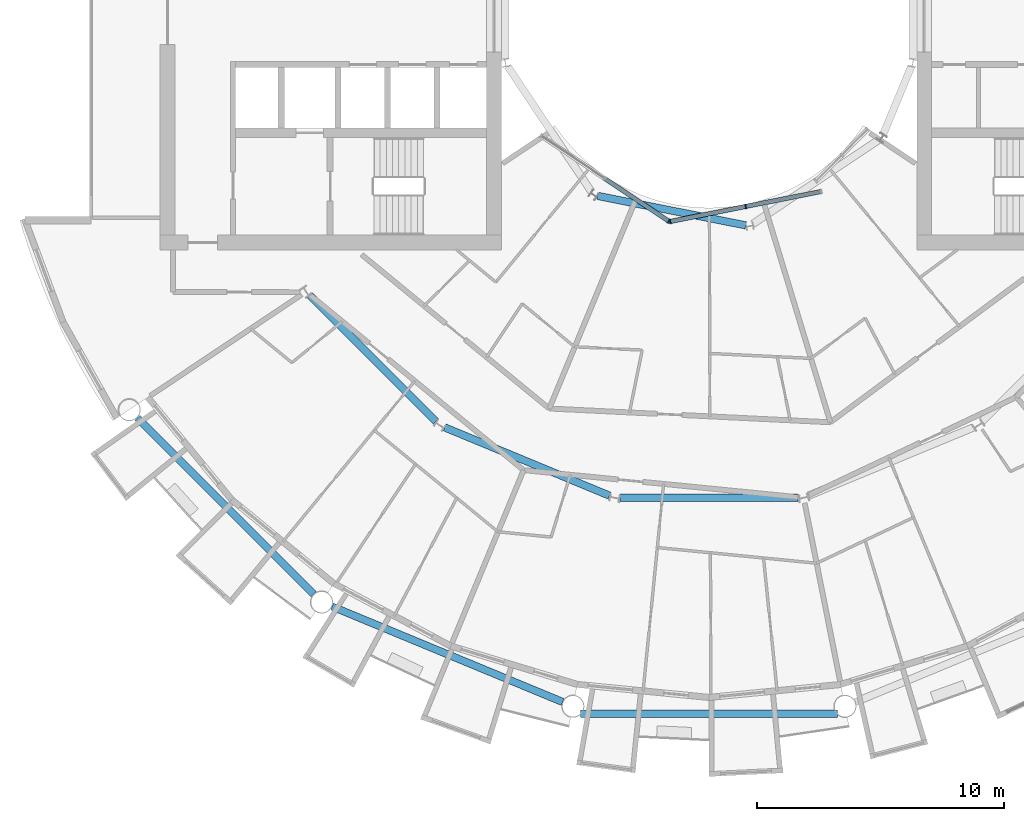
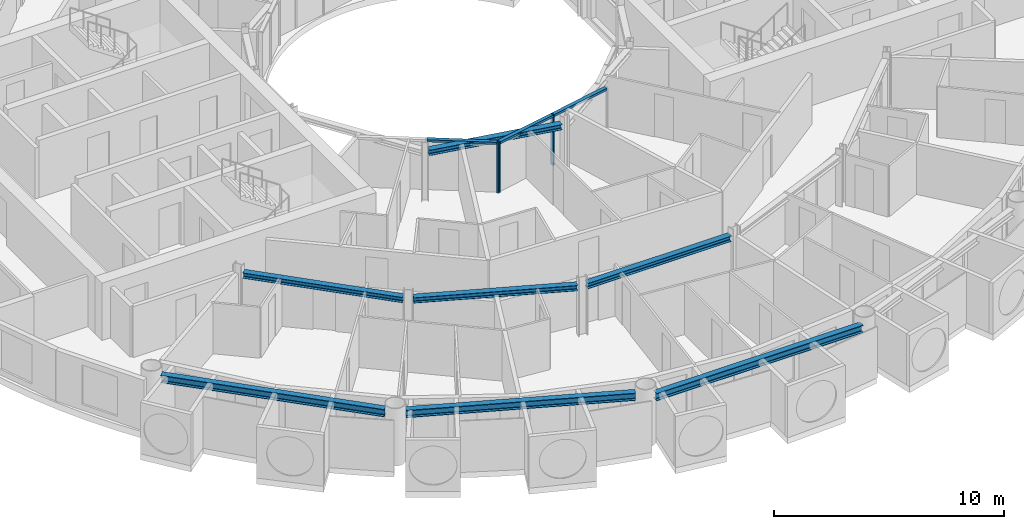
# One storey, part 5 of 27: 7 beams, 6 members, 2 elements without a shape of their own.
"""IFC4 building model written with IfcOpenShell, lengths in metres."""

from ifc_helpers import new_model, si_unit, direction, frame, origin, origin_2d, place, context, subcontext, project, spatial, rectangle, i_section, extrude, material, layer, layer_set, material_profile, profile_set, type_object, element, aggregate, save


model = new_model("IFC4")

# Units and contexts
model_context = context("Model", 3, precision=1e-05, world=origin(), true_north=direction((0.0, 1.0)))
body_context = subcontext(model_context, "Body", "Model", "MODEL_VIEW")
ifc_project = project(units=[si_unit("LENGTHUNIT", "METRE"), si_unit("AREAUNIT", "SQUARE_METRE"), si_unit("VOLUMEUNIT", "CUBIC_METRE"), si_unit("PLANEANGLEUNIT", "RADIAN"), si_unit("MASSUNIT", "GRAM", prefix="KILO")], contexts=[model_context])

# Site, building, storey
site_placement = place(None, origin())
site = spatial("IfcSite", under=ifc_project, at=site_placement, CompositionType="ELEMENT")
building_placement = place(site_placement, origin())
building = spatial("IfcBuilding", under=site, at=building_placement, Name="Maasbend Ring Residences", CompositionType="ELEMENT")
storey_placement = place(building_placement, frame((0.0, 0.0, 114.699951171875)))
storey = spatial("IfcBuildingStorey", under=building, at=storey_placement, Name="L32", CompositionType="ELEMENT", Elevation=114.699951171875)

# Curtain wall, member
ifc_material_1 = material(Name="Aluminium and clear glass", Category="aluminium")
ifc_layer = layer(ifc_material_1, 0.179931640625)
ifc_layer_set = layer_set([ifc_layer], Name="CW-W")
curtain_wall_type = type_object("IfcCurtainWallType", Name="CW-W", PredefinedType="NOTDEFINED", material=ifc_layer_set)
curtain_wall_1_placement = place(storey_placement, origin())
curtain_wall_1 = element("IfcCurtainWall", 1, at=curtain_wall_1_placement, inside=storey, type_object=curtain_wall_type, Name="Well curtain wall S1", PredefinedType="NOTDEFINED")
ifc_material_2 = material(Name="Aluminium 6063-T6", Category="aluminium")
ifc_material_profile_1 = material_profile(ifc_material_2, rectangle(XDim=0.179931640625, YDim=0.06005859375, at=origin_2d()), Name="AL 180x60")
ifc_profile_set_1 = profile_set([ifc_material_profile_1], Name="Aluminium 6063-T6")
member_type_1 = type_object("IfcMemberType", Name="CWM-W", PredefinedType="MULLION", material=ifc_profile_set_1)
member_1_placement = place(storey_placement, frame((-1.627685546875, -8.040771484375, 0.0), z_axis=(0.0, 0.0, 1.0), x_axis=(0.55557023302, 0.831469612303, 0.0)))
member_1 = element("IfcMember", 2, at=member_1_placement, type_object=member_type_1, Name="Mullion well face", PredefinedType="MULLION", context=body_context, shape_type="SweptSolid", body=[
    extrude(rectangle(XDim=0.179931640625, YDim=0.06005859375, at=origin_2d()), origin(), (0.0, 0.0, 1.0), 2.699951171875),
])

# Curtain wall, members
curtain_wall_2_placement = place(storey_placement, origin())
curtain_wall_2 = element("IfcCurtainWall", 3, at=curtain_wall_2_placement, inside=storey, type_object=curtain_wall_type, Name="Well curtain wall S2", PredefinedType="NOTDEFINED")
member_2_placement = place(storey_placement, frame((-1.5732421875, -8.0517578125, 0.0), z_axis=(0.0, 0.0, 1.0), x_axis=(-0.195090322016, 0.980785280403, 0.0)))
member_2 = element("IfcMember", 4, at=member_2_placement, type_object=member_type_1, Name="Mullion well face", PredefinedType="MULLION", context=body_context, shape_type="SweptSolid", body=[
    extrude(rectangle(XDim=0.179931640625, YDim=0.06005859375, at=origin_2d()), origin(), (0.0, 0.0, 1.0), 2.699951171875),
])
member_3_placement = place(storey_placement, frame((1.480712890625, -7.444091796875, 0.0), z_axis=(0.0, 0.0, 1.0), x_axis=(-0.195090322016, 0.980785280403, 0.0)))
member_3 = element("IfcMember", 5, at=member_3_placement, type_object=member_type_1, Name="Mullion well face", PredefinedType="MULLION", context=body_context, shape_type="SweptSolid", body=[
    extrude(rectangle(XDim=0.179931640625, YDim=0.06005859375, at=origin_2d()), origin(), (0.0, 0.0, 1.0), 2.699951171875),
])

# Member
ifc_material_3 = material(Name="Aluminium 6063-T6", Category="aluminium")
ifc_material_profile_2 = material_profile(ifc_material_3, rectangle(XDim=0.179931640625, YDim=0.1201171875, at=origin_2d()), Name="AL 180x120")
ifc_profile_set_2 = profile_set([ifc_material_profile_2], Name="Aluminium 6063-T6")
member_type_2 = type_object("IfcMemberType", Name="CWT-W", PredefinedType="USERDEFINED", material=ifc_profile_set_2)
member_4_placement = place(storey_placement, frame((-4.19189453125, -6.32763671875, 2.64013671875), z_axis=(0.831496422459, -0.555530106689, 0.0), x_axis=(0.555530106689, 0.831496422459, 0.0)))
member_4 = element("IfcMember", 6, at=member_4_placement, type_object=member_type_2, Name="Transom well face", ObjectType="TRANSOM", PredefinedType="USERDEFINED", context=body_context, shape_type="SweptSolid", body=[
    extrude(rectangle(XDim=0.179931640625, YDim=0.1201171875, at=origin_2d()), origin(), (0.0, 0.0, 1.0), 3.053955078125),
])

aggregate(curtain_wall_1, [member_1, member_4])

member_5_placement = place(storey_placement, frame((-1.5439453125, -8.0458984375, 2.64013671875), z_axis=(0.980776956105, 0.195132166424, 0.0), x_axis=(-0.195132166424, 0.980776956105, 0.0)))
member_5 = element("IfcMember", 7, at=member_5_placement, type_object=member_type_2, Name="Transom well face", ObjectType="TRANSOM", PredefinedType="USERDEFINED", context=body_context, shape_type="SweptSolid", body=[
    extrude(rectangle(XDim=0.179931640625, YDim=0.1201171875, at=origin_2d()), origin(), (0.0, 0.0, 1.0), 3.053955078125),
])

member_6_placement = place(storey_placement, frame((1.51025390625, -7.438232421875, 2.64013671875), z_axis=(0.980789210404, 0.19507056353, 0.0), x_axis=(-0.19507056353, 0.980789210404, 0.0)))
member_6 = element("IfcMember", 8, at=member_6_placement, type_object=member_type_2, Name="Transom well face", ObjectType="TRANSOM", PredefinedType="USERDEFINED", context=body_context, shape_type="SweptSolid", body=[
    extrude(rectangle(XDim=0.179931640625, YDim=0.1201171875, at=origin_2d()), origin(), (0.0, 0.0, 1.0), 3.0537109375),
])

aggregate(curtain_wall_2, [member_2, member_3, member_5, member_6])

# Beams
ifc_material_4 = material(Name="Steel S355J2", Category="steel")
ifc_material_profile_3 = material_profile(ifc_material_4, i_section(OverallWidth=0.300048828125, OverallDepth=0.2900390625, WebThickness=0.008544921875, FlangeThickness=0.013916015625, FilletRadius=0.027099609375, at=origin_2d()), Name="HEA 300")
ifc_profile_set_3 = profile_set([ifc_material_profile_3], Name="Steel S355J2")
beam_type_1 = type_object("IfcBeamType", Name="Corridor ring beam HEA 300", PredefinedType="BEAM", material=ifc_profile_set_3)
for number, where, z_axis, x_axis, name in (
    (9, (-16.14111328125, -11.044921875, 2.554931640625), (0.707106781187, -0.707106781187, 0.0), (0.707106781187, 0.707106781187, 0.0), "Corridor ring beam"),
    (10, (-10.685791015625, -16.381103515625, 2.554931640625), (0.923877693919, -0.382687871089, 0.0), (0.382687871089, 0.923877693919, 0.0), "Corridor ring beam"),
    (11, (-3.603515625, -19.223388671875, 2.554931640625), (1.0, 0.0, 0.0), (0.0, 1.0, 0.0), "Corridor ring beam"),
):
    element("IfcBeam", number, at=place(storey_placement, frame(where, z_axis=z_axis, x_axis=x_axis)), inside=storey, type_object=beam_type_1, Name=name, PredefinedType="BEAM", context=body_context, shape_type="SweptSolid", body=[
        extrude(i_section(OverallWidth=0.300048828125, OverallDepth=0.2900390625, WebThickness=0.008544921875, FlangeThickness=0.013916015625, FilletRadius=0.027099609375, at=origin_2d()), origin(), (0.0, 0.0, 1.0), 7.20703125),
    ])
ifc_material_5 = material(Name="Steel S355J2", Category="steel")
ifc_material_profile_4 = material_profile(ifc_material_5, i_section(OverallWidth=0.300048828125, OverallDepth=0.39990234375, WebThickness=0.013427734375, FlangeThickness=0.02392578125, FilletRadius=0.027099609375, at=origin_2d()), Name="HEB 400")
ifc_profile_set_4 = profile_set([ifc_material_profile_4], Name="Steel S355J2")
beam_type_2 = type_object("IfcBeamType", Name="Spandrel ring beam HEB 400", PredefinedType="SPANDREL", material=ifc_profile_set_4)
for number, where, z_axis, x_axis, name in (
    (12, (-23.124267578125, -15.990234375, 2.5), (0.707106781187, -0.707106781187, 0.0), (0.707106781187, 0.707106781187, 0.0), "Spandrel ring beam"),
    (13, (-15.244873046875, -23.622314453125, 2.5), (0.92388529709, -0.382669515144, 0.0), (0.382669515144, 0.92388529709, 0.0), "Spandrel ring beam"),
):
    element("IfcBeam", number, at=place(storey_placement, frame(where, z_axis=z_axis, x_axis=x_axis)), inside=storey, type_object=beam_type_2, Name=name, PredefinedType="SPANDREL", context=body_context, shape_type="SweptSolid", body=[
        extrude(i_section(OverallWidth=0.300048828125, OverallDepth=0.39990234375, WebThickness=0.013427734375, FlangeThickness=0.02392578125, FilletRadius=0.027099609375, at=origin_2d()), origin(), (0.0, 0.0, 1.0), 10.089111328125),
    ])
beam_1_placement = place(storey_placement, frame((-5.194580078125, -27.9580078125, 2.5), z_axis=(1.0, 0.0, 0.0), x_axis=(0.0, 1.0, 0.0)))
element("IfcBeam", 14, at=beam_1_placement, inside=storey, type_object=beam_type_2, Name="Spandrel ring beam", PredefinedType="SPANDREL", context=body_context, shape_type="SweptSolid", body=[
    extrude(i_section(OverallWidth=0.300048828125, OverallDepth=0.39990234375, WebThickness=0.013427734375, FlangeThickness=0.02392578125, FilletRadius=0.027099609375, at=origin_2d()), origin(), (0.0, 0.0, 1.0), 10.38916015625),
])
ifc_material_6 = material(Name="Steel S355J2", Category="steel")
ifc_material_profile_5 = material_profile(ifc_material_6, i_section(OverallWidth=0.300048828125, OverallDepth=0.2900390625, WebThickness=0.008544921875, FlangeThickness=0.013916015625, FilletRadius=0.027099609375, at=origin_2d()), Name="HEA 300")
ifc_profile_set_5 = profile_set([ifc_material_profile_5], Name="Steel S355J2")
beam_type_3 = type_object("IfcBeamType", Name="Well edge beam HEA 300", PredefinedType="BEAM", material=ifc_profile_set_5)
beam_2_placement = place(storey_placement, frame((-4.507568359375, -7.01611328125, 2.554931640625), z_axis=(0.980792381321, -0.195054619896, 0.0), x_axis=(0.195054619896, 0.980792381321, 0.0)))
element("IfcBeam", 15, at=beam_2_placement, inside=storey, type_object=beam_type_3, Name="Well edge beam", PredefinedType="BEAM", context=body_context, shape_type="SweptSolid", body=[
    extrude(i_section(OverallWidth=0.300048828125, OverallDepth=0.2900390625, WebThickness=0.008544921875, FlangeThickness=0.013916015625, FilletRadius=0.027099609375, at=origin_2d()), origin(), (0.0, 0.0, 1.0), 6.104248046875),
])

save(model, "model.ifc")
